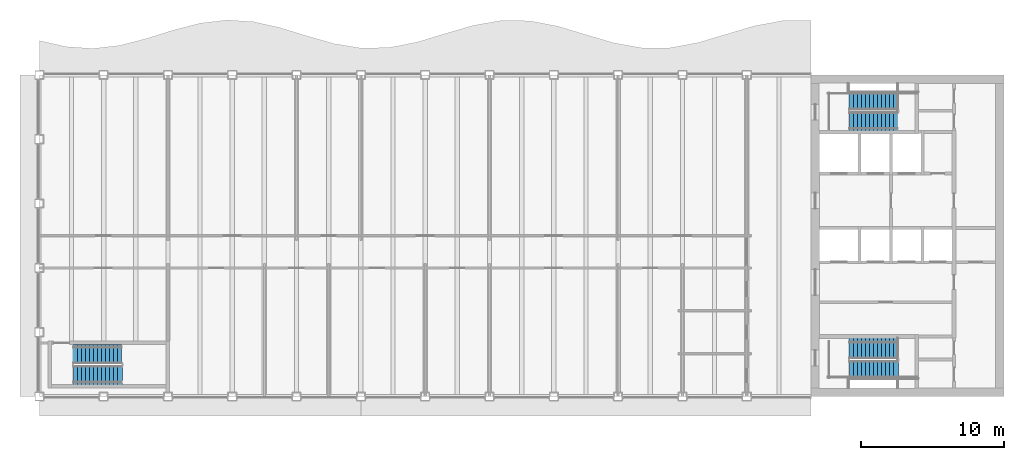
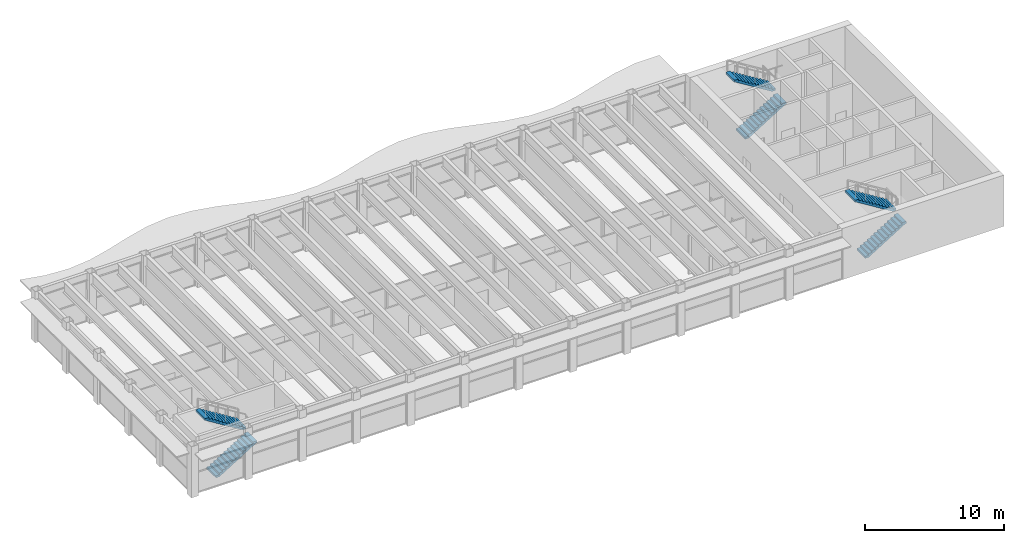
# One storey, part 11 of 14: 6 stair flights, 3 elements without a shape of their own.
"""IFC4 building model written with IfcOpenShell, lengths in metres."""

from ifc_helpers import new_model, si_unit, direction, frame, origin, place, context, subcontext, project, spatial, polyline, outline, extrude, material, type_object, element, aggregate, save


model = new_model("IFC4")

# Units and contexts
model_context = context("Model", 3, precision=1e-05, world=origin(), true_north=direction((0.0, 1.0)))
body_context = subcontext(model_context, "Body", "Model", "MODEL_VIEW")
ifc_project = project(units=[si_unit("LENGTHUNIT", "METRE"), si_unit("AREAUNIT", "SQUARE_METRE"), si_unit("VOLUMEUNIT", "CUBIC_METRE"), si_unit("PLANEANGLEUNIT", "RADIAN"), si_unit("MASSUNIT", "GRAM", prefix="KILO")], contexts=[model_context])

# Site, building, storey
site_placement = place(None, origin())
site = spatial("IfcSite", under=ifc_project, at=site_placement, CompositionType="ELEMENT")
building_placement = place(site_placement, origin())
building = spatial("IfcBuilding", under=site, at=building_placement, Name="Sennacour Bend Tower", CompositionType="ELEMENT")
storey_placement = place(building_placement, frame((0.0, 0.0, 332.0)))
storey = spatial("IfcBuildingStorey", under=building, at=storey_placement, Name="L76", CompositionType="ELEMENT", Elevation=332.0)

# Stair, stair flights
ifc_material = material(Name="Concrete C40/50", Category="concrete")
stair_type = type_object("IfcStairType", Name="ST-DOGLEG", PredefinedType="HALF_TURN_STAIR", material=ifc_material)
stair_1_placement = place(storey_placement, origin())
stair_1 = element("IfcStair", 1, at=stair_1_placement, inside=storey, type_object=stair_type, Name="L76 Exit stair A1", PredefinedType="HALF_TURN_STAIR")
stair_flight_type = type_object("IfcStairFlightType", Name="SFL-RC", PredefinedType="STRAIGHT", material=ifc_material)
stair_flight_1_placement = place(storey_placement, frame((56.699951171875, 1.89990234375, 0.0), z_axis=(0.0, 0.0, 1.0), x_axis=(1.0, 0.0, 0.0)))
stair_flight_1 = element("IfcStairFlight", 2, at=stair_flight_1_placement, type_object=stair_flight_type, Name="SA1 flight 1", NumberOfRisers=13, NumberOfTreads=12, PredefinedType="STRAIGHT", RiserHeight=0.173076923, TreadLength=0.28, context=body_context, shape_type="SweptSolid", body=[
    extrude(outline(polyline([(0.0, 0.0), (0.0, 0.173095703125), (0.280029296875, 0.173095703125), (0.280029296875, 0.34619140625), (0.56005859375, 0.34619140625), (0.56005859375, 0.519287109375), (0.840087890625, 0.519287109375), (0.840087890625, 0.6923828125), (1.1201171875, 0.6923828125), (1.1201171875, 0.865478515625), (1.39990234375, 0.865478515625), (1.39990234375, 1.03857421875), (1.679931640625, 1.03857421875), (1.679931640625, 1.21142578125), (1.9599609375, 1.21142578125), (1.9599609375, 1.384521484375), (2.239990234375, 1.384521484375), (2.239990234375, 1.5576171875), (2.52001953125, 1.5576171875), (2.52001953125, 1.730712890625), (2.800048828125, 1.730712890625), (2.800048828125, 1.90380859375), (3.080078125, 1.90380859375), (3.080078125, 2.076904296875), (3.360107421875, 2.076904296875), (3.419921875, 2.076904296875), (3.419921875, 1.900634765625), (3.360107421875, 1.900634765625), (0.28515625, 0.0), (0.0, 0.0)])), frame((0.0, 0.60009765625, 0.0), z_axis=(0.0, -1.0, 0.0), x_axis=(1.0, 0.0, 0.0)), (0.0, 0.0, 1.0), 1.199951171875),
])
stair_flight_2_placement = place(storey_placement, frame((60.06005859375, 3.37744140625, 2.25), z_axis=(0.0, 0.0, 1.0), x_axis=(-1.0, 0.0, 0.0)))
stair_flight_2 = element("IfcStairFlight", 3, at=stair_flight_2_placement, type_object=stair_flight_type, Name="SA1 flight 2", NumberOfRisers=13, NumberOfTreads=12, PredefinedType="STRAIGHT", RiserHeight=0.173076923, TreadLength=0.28, context=body_context, shape_type="SweptSolid", body=[
    extrude(outline(polyline([(0.0, 0.0), (0.0, 0.173095703125), (0.280029296875, 0.173095703125), (0.280029296875, 0.34619140625), (0.56005859375, 0.34619140625), (0.56005859375, 0.519287109375), (0.840087890625, 0.519287109375), (0.840087890625, 0.6923828125), (1.1201171875, 0.6923828125), (1.1201171875, 0.865478515625), (1.39990234375, 0.865478515625), (1.39990234375, 1.03857421875), (1.679931640625, 1.03857421875), (1.679931640625, 1.21142578125), (1.9599609375, 1.21142578125), (1.9599609375, 1.384521484375), (2.239990234375, 1.384521484375), (2.239990234375, 1.5576171875), (2.52001953125, 1.5576171875), (2.52001953125, 1.730712890625), (2.800048828125, 1.730712890625), (2.800048828125, 1.90380859375), (3.080078125, 1.90380859375), (3.080078125, 2.076904296875), (3.360107421875, 2.076904296875), (3.419921875, 2.076904296875), (3.419921875, 1.900634765625), (3.360107421875, 1.900634765625), (0.28515625, 0.0), (0.0, 0.0)])), frame((0.0, 0.7275390625, 0.0), z_axis=(0.0, -1.0, 0.0), x_axis=(1.0, 0.0, 0.0)), (0.0, 0.0, 1.0), 1.455078125),
])
aggregate(stair_1, [stair_flight_1, stair_flight_2])

stair_2_placement = place(storey_placement, origin())
stair_2 = element("IfcStair", 4, at=stair_2_placement, inside=storey, type_object=stair_type, Name="L76 Exit stair A2", PredefinedType="HALF_TURN_STAIR")
stair_flight_3_placement = place(storey_placement, frame((56.699951171875, 19.24755859375, 0.0), z_axis=(0.0, 0.0, 1.0), x_axis=(1.0, 0.0, 0.0)))
stair_flight_3 = element("IfcStairFlight", 5, at=stair_flight_3_placement, type_object=stair_flight_type, Name="SA2 flight 1", NumberOfRisers=13, NumberOfTreads=12, PredefinedType="STRAIGHT", RiserHeight=0.173076923, TreadLength=0.28, context=body_context, shape_type="SweptSolid", body=[
    extrude(outline(polyline([(0.0, 0.0), (0.0, 0.173095703125), (0.280029296875, 0.173095703125), (0.280029296875, 0.34619140625), (0.56005859375, 0.34619140625), (0.56005859375, 0.519287109375), (0.840087890625, 0.519287109375), (0.840087890625, 0.6923828125), (1.1201171875, 0.6923828125), (1.1201171875, 0.865478515625), (1.39990234375, 0.865478515625), (1.39990234375, 1.03857421875), (1.679931640625, 1.03857421875), (1.679931640625, 1.21142578125), (1.9599609375, 1.21142578125), (1.9599609375, 1.384521484375), (2.239990234375, 1.384521484375), (2.239990234375, 1.5576171875), (2.52001953125, 1.5576171875), (2.52001953125, 1.730712890625), (2.800048828125, 1.730712890625), (2.800048828125, 1.90380859375), (3.080078125, 1.90380859375), (3.080078125, 2.076904296875), (3.360107421875, 2.076904296875), (3.419921875, 2.076904296875), (3.419921875, 1.900634765625), (3.360107421875, 1.900634765625), (0.28515625, 0.0), (0.0, 0.0)])), frame((0.0, 0.65234375, 0.0), z_axis=(0.0, -1.0, 0.0), x_axis=(1.0, 0.0, 0.0)), (0.0, 0.0, 1.0), 1.304931640625),
])
stair_flight_4_placement = place(storey_placement, frame((60.06005859375, 20.64990234375, 2.25), z_axis=(0.0, 0.0, 1.0), x_axis=(-1.0, 0.0, 0.0)))
stair_flight_4 = element("IfcStairFlight", 6, at=stair_flight_4_placement, type_object=stair_flight_type, Name="SA2 flight 2", NumberOfRisers=13, NumberOfTreads=12, PredefinedType="STRAIGHT", RiserHeight=0.173076923, TreadLength=0.28, context=body_context, shape_type="SweptSolid", body=[
    extrude(outline(polyline([(0.0, 0.0), (0.0, 0.173095703125), (0.280029296875, 0.173095703125), (0.280029296875, 0.34619140625), (0.56005859375, 0.34619140625), (0.56005859375, 0.519287109375), (0.840087890625, 0.519287109375), (0.840087890625, 0.6923828125), (1.1201171875, 0.6923828125), (1.1201171875, 0.865478515625), (1.39990234375, 0.865478515625), (1.39990234375, 1.03857421875), (1.679931640625, 1.03857421875), (1.679931640625, 1.21142578125), (1.9599609375, 1.21142578125), (1.9599609375, 1.384521484375), (2.239990234375, 1.384521484375), (2.239990234375, 1.5576171875), (2.52001953125, 1.5576171875), (2.52001953125, 1.730712890625), (2.800048828125, 1.730712890625), (2.800048828125, 1.90380859375), (3.080078125, 1.90380859375), (3.080078125, 2.076904296875), (3.360107421875, 2.076904296875), (3.419921875, 2.076904296875), (3.419921875, 1.900634765625), (3.360107421875, 1.900634765625), (0.28515625, 0.0), (0.0, 0.0)])), frame((0.0, 0.60009765625, 0.0), z_axis=(0.0, -1.0, 0.0), x_axis=(1.0, 0.0, 0.0)), (0.0, 0.0, 1.0), 1.199951171875),
])
aggregate(stair_2, [stair_flight_3, stair_flight_4])

stair_3_placement = place(storey_placement, origin())
stair_3 = element("IfcStair", 7, at=stair_3_placement, inside=storey, type_object=stair_type, Name="L76 Exit stair K1", PredefinedType="HALF_TURN_STAIR")
stair_flight_5_placement = place(storey_placement, frame((2.39990234375, 1.485107421875, 0.0), z_axis=(0.0, 0.0, 1.0), x_axis=(1.0, 0.0, 0.0)))
stair_flight_5 = element("IfcStairFlight", 8, at=stair_flight_5_placement, type_object=stair_flight_type, Name="SK1 flight 1", NumberOfRisers=13, NumberOfTreads=12, PredefinedType="STRAIGHT", RiserHeight=0.173076923, TreadLength=0.28, context=body_context, shape_type="SweptSolid", body=[
    extrude(outline(polyline([(0.0, 0.0), (0.0, 0.173095703125), (0.280029296875, 0.173095703125), (0.280029296875, 0.34619140625), (0.56005859375, 0.34619140625), (0.56005859375, 0.519287109375), (0.840087890625, 0.519287109375), (0.840087890625, 0.6923828125), (1.1201171875, 0.6923828125), (1.1201171875, 0.865478515625), (1.39990234375, 0.865478515625), (1.39990234375, 1.03857421875), (1.679931640625, 1.03857421875), (1.679931640625, 1.21142578125), (1.9599609375, 1.21142578125), (1.9599609375, 1.384521484375), (2.239990234375, 1.384521484375), (2.239990234375, 1.5576171875), (2.52001953125, 1.5576171875), (2.52001953125, 1.730712890625), (2.800048828125, 1.730712890625), (2.800048828125, 1.90380859375), (3.080078125, 1.90380859375), (3.080078125, 2.076904296875), (3.360107421875, 2.076904296875), (3.419921875, 2.076904296875), (3.419921875, 1.900634765625), (3.360107421875, 1.900634765625), (0.28515625, 0.0), (0.0, 0.0)])), frame((0.0, 0.6650390625, 0.0), z_axis=(0.0, -1.0, 0.0), x_axis=(1.0, 0.0, 0.0)), (0.0, 0.0, 1.0), 1.330078125),
])
stair_flight_6_placement = place(storey_placement, frame((5.760009765625, 2.9775390625, 2.25), z_axis=(0.0, 0.0, 1.0), x_axis=(-1.0, 0.0, 0.0)))
stair_flight_6 = element("IfcStairFlight", 9, at=stair_flight_6_placement, type_object=stair_flight_type, Name="SK1 flight 2", NumberOfRisers=13, NumberOfTreads=12, PredefinedType="STRAIGHT", RiserHeight=0.173076923, TreadLength=0.28, context=body_context, shape_type="SweptSolid", body=[
    extrude(outline(polyline([(0.0, 0.0), (0.0, 0.173095703125), (0.280029296875, 0.173095703125), (0.280029296875, 0.34619140625), (0.56005859375, 0.34619140625), (0.56005859375, 0.519287109375), (0.840087890625, 0.519287109375), (0.840087890625, 0.6923828125), (1.1201171875, 0.6923828125), (1.1201171875, 0.865478515625), (1.39990234375, 0.865478515625), (1.39990234375, 1.03857421875), (1.679931640625, 1.03857421875), (1.679931640625, 1.21142578125), (1.9599609375, 1.21142578125), (1.9599609375, 1.384521484375), (2.239990234375, 1.384521484375), (2.239990234375, 1.5576171875), (2.52001953125, 1.5576171875), (2.52001953125, 1.730712890625), (2.800048828125, 1.730712890625), (2.800048828125, 1.90380859375), (3.080078125, 1.90380859375), (3.080078125, 2.076904296875), (3.360107421875, 2.076904296875), (3.419921875, 2.076904296875), (3.419921875, 1.900634765625), (3.360107421875, 1.900634765625), (0.28515625, 0.0), (0.0, 0.0)])), frame((0.0, 0.677490234375, 0.0), z_axis=(0.0, -1.0, 0.0), x_axis=(1.0, 0.0, 0.0)), (0.0, 0.0, 1.0), 1.35498046875),
])
aggregate(stair_3, [stair_flight_5, stair_flight_6])

save(model, "model.ifc")
